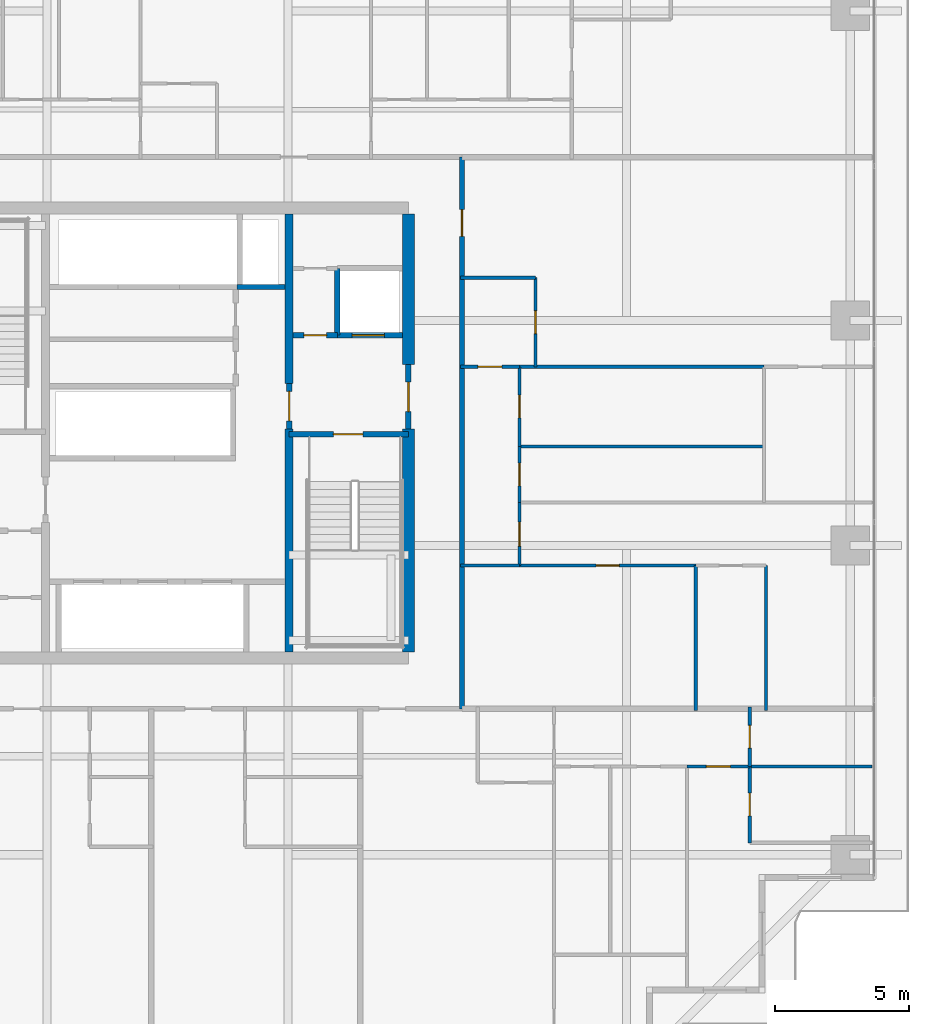
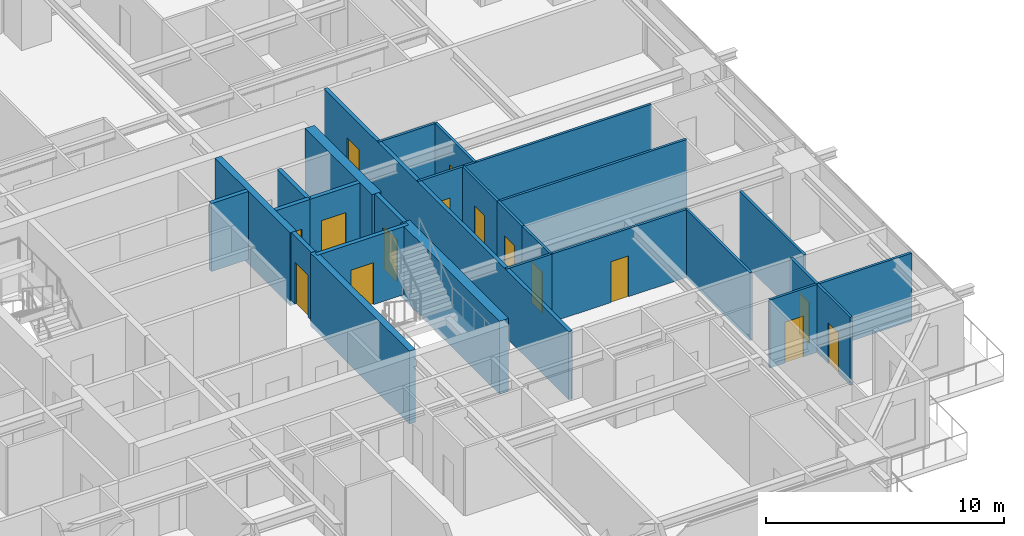
# One storey, part 26 of 35: 28 walls, 15 doors, 15 openings.
"""IFC4 building model written with IfcOpenShell, lengths in metres."""

from ifc_helpers import new_model, si_unit, direction, frame, frame_2d, origin, place, context, subcontext, project, spatial, rectangle, extrude, source, transform, mapped, material, layer, layer_set, type_object, element, fill, save


model = new_model("IFC4")

# Units and contexts
model_context = context("Model", 3, precision=1e-05, world=origin(), true_north=direction((0.0, 1.0)))
body_context = subcontext(model_context, "Body", "Model", "MODEL_VIEW")
ifc_project = project(units=[si_unit("LENGTHUNIT", "METRE"), si_unit("AREAUNIT", "SQUARE_METRE"), si_unit("VOLUMEUNIT", "CUBIC_METRE"), si_unit("PLANEANGLEUNIT", "RADIAN"), si_unit("MASSUNIT", "GRAM", prefix="KILO")], contexts=[model_context])

# Site, building, storey
site_placement = place(None, origin())
site = spatial("IfcSite", under=ifc_project, at=site_placement, CompositionType="ELEMENT")
building_placement = place(site_placement, origin())
building = spatial("IfcBuilding", under=site, at=building_placement, Name="Serunith Strait Residences", CompositionType="ELEMENT")
storey_placement = place(building_placement, frame((0.0, 0.0, 56.699951171875)))
storey = spatial("IfcBuildingStorey", under=building, at=storey_placement, Name="L13", CompositionType="ELEMENT", Elevation=56.699951171875)

# Wall, opening, door
ifc_material_1 = material(Name="Fire-rated acoustic gypsum partition")
ifc_layer_1 = layer(ifc_material_1, 0.179931640625, Name="Fire-rated acoustic gypsum partition")
ifc_layer_set_1 = layer_set([ifc_layer_1], Name="Fire-rated acoustic gypsum partition")
wall_type_1 = type_object("IfcWallType", Name="IW-CORR-180", PredefinedType="PARTITIONING", material=ifc_layer_set_1)
wall_1_placement = place(storey_placement, frame((43.39990234375, 14.89990234375, 0.0), z_axis=(0.0, 0.0, 1.0), x_axis=(0.0, 1.0, 0.0)))
wall_1 = element("IfcWall", 1, at=wall_1_placement, inside=storey, type_object=wall_type_1, Name="L13 Partition Wall 027", PredefinedType="PARTITIONING", context=body_context, shape_type="SweptSolid", body=[
    extrude(rectangle(XDim=20.60009765625, YDim=0.179931640625, at=frame_2d((10.300048828125, 0.0))), origin(), (0.0, 0.0, 1.0), 3.489990234375),
])
opening_1_placement = place(wall_1_placement, frame((17.639892578125, 0.0, 0.0)))
opening_1 = element("IfcOpeningElement", 2, at=opening_1_placement, cuts=wall_1, Name="Opening D-APT1000", PredefinedType="OPENING", context=body_context, shape_type="SweptSolid", body=[
    extrude(rectangle(XDim=1.0, YDim=2.14990234375, at=frame_2d((0.5, 1.074951171875))), frame((0.0, 0.10009765625, 0.0), z_axis=(0.0, -1.0, 0.0), x_axis=(1.0, 0.0, 0.0)), (0.0, 0.0, 1.0), 0.199951171875),
])
ifc_material_2 = material(Name="Solid timber engineered fire door", Category="wood")
door_type_1 = type_object("IfcDoorType", Name="ID-APT-1000", OperationType="NOTDEFINED", PredefinedType="DOOR", material=ifc_material_2)
shared_shape_1 = source(origin(), body_context, "Body", "SweptSolid", [
    extrude(rectangle(XDim=1.0, YDim=2.14990234375, at=frame_2d((0.5, 1.074951171875))), frame((0.0, 0.02490234375, 0.0), z_axis=(0.0, -1.0, 0.0), x_axis=(1.0, 0.0, 0.0)), (0.0, 0.0, 1.0), 0.050048828125),
])
door_1_placement = place(opening_1_placement, origin())
door_1 = element("IfcDoor", 3, at=door_1_placement, inside=storey, type_object=door_type_1, Name="L13 Unit 07 Entrance Door", OperationType="SINGLE_SWING_LEFT", OverallHeight=2.14990234375, OverallWidth=1.0, PredefinedType="DOOR", context=body_context, shape_type="MappedRepresentation", body=[
    mapped(shared_shape_1, transform((0.0, 0.0, 0.0), scale=1.0)),
])
fill(opening_1, door_1)

ifc_material_3 = material(Name="Lightweight steel-stud gypsum partition", Category="steel")
ifc_layer_2 = layer(ifc_material_3, 0.1201171875, Name="Lightweight steel-stud gypsum partition")
ifc_layer_set_2 = layer_set([ifc_layer_2], Name="Lightweight steel-stud gypsum partition")
wall_type_2 = type_object("IfcWallType", Name="IW-PART-120", PredefinedType="PARTITIONING", material=ifc_layer_set_2)
wall_2_placement = place(storey_placement, frame((51.802001953125, 12.75, 0.0), z_axis=(0.0, 0.0, 1.0), x_axis=(1.0, 0.0, 0.0)))
wall_2 = element("IfcWall", 4, at=wall_2_placement, inside=storey, type_object=wall_type_2, Name="L13 Partition Wall 061", PredefinedType="PARTITIONING", context=body_context, shape_type="SweptSolid", body=[
    extrude(rectangle(XDim=2.347900390625, YDim=0.1201171875, at=frame_2d((1.173828125, 0.0))), origin(), (0.0, 0.0, 1.0), 3.489990234375),
])
opening_2_placement = place(wall_2_placement, frame((0.72412109375, 0.0, 0.0)))
opening_2 = element("IfcOpeningElement", 5, at=opening_2_placement, cuts=wall_2, Name="Opening D-RM900", PredefinedType="OPENING", context=body_context, shape_type="SweptSolid", body=[
    extrude(rectangle(XDim=0.89990234375, YDim=2.10009765625, at=frame_2d((0.449951171875, 1.050048828125))), frame((0.0, 0.070068359375, 0.0), z_axis=(0.0, -1.0, 0.0), x_axis=(1.0, 0.0, 0.0)), (0.0, 0.0, 1.0), 0.14013671875),
])
ifc_material_4 = material(Name="Engineered timber flush bedroom door", Category="wood")
door_type_2 = type_object("IfcDoorType", Name="ID-ROOM-900", OperationType="NOTDEFINED", PredefinedType="DOOR", material=ifc_material_4)
shared_shape_2 = source(origin(), body_context, "Body", "SweptSolid", [
    extrude(rectangle(XDim=0.89990234375, YDim=2.10009765625, at=frame_2d((0.449951171875, 1.050048828125))), frame((0.0, 0.02490234375, 0.0), z_axis=(0.0, -1.0, 0.0), x_axis=(1.0, 0.0, 0.0)), (0.0, 0.0, 1.0), 0.050048828125),
])
door_2_placement = place(opening_2_placement, origin())
door_2 = element("IfcDoor", 6, at=door_2_placement, inside=storey, type_object=door_type_2, Name="L13 Master Bedroom E 1304 Door", OperationType="SINGLE_SWING_LEFT", OverallHeight=2.10009765625, OverallWidth=0.89990234375, PredefinedType="DOOR", context=body_context, shape_type="MappedRepresentation", body=[
    mapped(shared_shape_2, transform((0.0, 0.0, 0.0), scale=1.0)),
])
fill(opening_2, door_2)

# Wall
wall_3_placement = place(storey_placement, frame((54.152099609375, 12.75, 0.0), z_axis=(0.0, 0.0, 1.0), x_axis=(1.0, 0.0, 0.0)))
element("IfcWall", 7, at=wall_3_placement, inside=storey, type_object=wall_type_2, Name="L13 Partition Wall 063", PredefinedType="PARTITIONING", context=body_context, shape_type="SweptSolid", body=[
    extrude(rectangle(XDim=4.552978515625, YDim=0.1201171875, at=frame_2d((2.2763671875, 0.0))), origin(), (0.0, 0.0, 1.0), 3.489990234375),
])

# Wall, opening, door
wall_4_placement = place(storey_placement, frame((54.14990234375, 9.89404296875, 0.0), z_axis=(0.0, 0.0, 1.0), x_axis=(0.0, 1.0, 0.0)))
wall_4 = element("IfcWall", 8, at=wall_4_placement, inside=storey, type_object=wall_type_2, Name="L13 Partition Wall 064", PredefinedType="PARTITIONING", context=body_context, shape_type="SweptSolid", body=[
    extrude(rectangle(XDim=2.85595703125, YDim=0.1201171875, at=frame_2d((1.427978515625, 0.0))), origin(), (0.0, 0.0, 1.0), 3.489990234375),
])
opening_3_placement = place(wall_4_placement, frame((1.0029296875, 0.0, 0.0)))
opening_3 = element("IfcOpeningElement", 9, at=opening_3_placement, cuts=wall_4, Name="Opening D-BTH850", PredefinedType="OPENING", context=body_context, shape_type="SweptSolid", body=[
    extrude(rectangle(XDim=0.85009765625, YDim=2.10009765625, at=frame_2d((0.425048828125, 1.050048828125))), frame((0.0, 0.070068359375, 0.0), z_axis=(0.0, -1.0, 0.0), x_axis=(1.0, 0.0, 0.0)), (0.0, 0.0, 1.0), 0.14013671875),
])
ifc_material_5 = material(Name="Moisture-resistant timber bathroom door", Category="wood")
door_type_3 = type_object("IfcDoorType", Name="ID-BATH-850", OperationType="NOTDEFINED", PredefinedType="DOOR", material=ifc_material_5)
shared_shape_3 = source(origin(), body_context, "Body", "SweptSolid", [
    extrude(rectangle(XDim=0.85009765625, YDim=2.10009765625, at=frame_2d((0.425048828125, 1.050048828125))), frame((0.0, 0.02490234375, 0.0), z_axis=(0.0, -1.0, 0.0), x_axis=(1.0, 0.0, 0.0)), (0.0, 0.0, 1.0), 0.050048828125),
])
door_3_placement = place(opening_3_placement, origin())
door_3 = element("IfcDoor", 10, at=door_3_placement, inside=storey, type_object=door_type_3, Name="L13 En-suite Bathroom E 1304 Door", OperationType="SINGLE_SWING_RIGHT", OverallHeight=2.10009765625, OverallWidth=0.85009765625, PredefinedType="DOOR", context=body_context, shape_type="MappedRepresentation", body=[
    mapped(shared_shape_3, transform((0.0, 0.0, 0.0), scale=1.0)),
])
fill(opening_3, door_3)

wall_5_placement = place(storey_placement, frame((54.14990234375, 12.751953125, 0.0), z_axis=(0.0, 0.0, 1.0), x_axis=(0.0, 1.0, 0.0)))
wall_5 = element("IfcWall", 11, at=wall_5_placement, inside=storey, type_object=wall_type_2, Name="L13 Partition Wall 065", PredefinedType="PARTITIONING", context=body_context, shape_type="SweptSolid", body=[
    extrude(rectangle(XDim=2.2080078125, YDim=0.1201171875, at=frame_2d((1.10400390625, 0.0))), origin(), (0.0, 0.0, 1.0), 3.489990234375),
])
opening_4_placement = place(wall_5_placement, frame((0.678955078125, 0.0, 0.0)))
opening_4 = element("IfcOpeningElement", 12, at=opening_4_placement, cuts=wall_5, Name="Opening D-RM850", PredefinedType="OPENING", context=body_context, shape_type="SweptSolid", body=[
    extrude(rectangle(XDim=0.85009765625, YDim=2.10009765625, at=frame_2d((0.425048828125, 1.050048828125))), frame((0.0, 0.070068359375, 0.0), z_axis=(0.0, -1.0, 0.0), x_axis=(1.0, 0.0, 0.0)), (0.0, 0.0, 1.0), 0.14013671875),
])
ifc_material_6 = material(Name="Engineered timber flush study and kitchen door", Category="wood")
door_type_4 = type_object("IfcDoorType", Name="ID-ROOM-850", OperationType="NOTDEFINED", PredefinedType="DOOR", material=ifc_material_6)
door_4_placement = place(opening_4_placement, origin())
door_4 = element("IfcDoor", 13, at=door_4_placement, inside=storey, type_object=door_type_4, Name="L13 Wardrobe E 1304 Door", OperationType="SINGLE_SWING_LEFT", OverallHeight=2.10009765625, OverallWidth=0.85009765625, PredefinedType="DOOR", context=body_context, shape_type="MappedRepresentation", body=[
    mapped(shared_shape_3, transform((0.0, 0.0, 0.0), scale=1.0)),
])
fill(opening_4, door_4)

wall_6_placement = place(storey_placement, frame((46.14990234375, 27.669921875, 0.0), z_axis=(0.0, 0.0, 1.0), x_axis=(0.0, 1.0, 0.0)))
wall_6 = element("IfcWall", 14, at=wall_6_placement, inside=storey, type_object=wall_type_2, Name="L13 Partition Wall 114", PredefinedType="PARTITIONING", context=body_context, shape_type="SweptSolid", body=[
    extrude(rectangle(XDim=3.330078125, YDim=0.1201171875, at=frame_2d((1.6650390625, 0.0))), origin(), (0.0, 0.0, 1.0), 3.489990234375),
])
opening_5_placement = place(wall_6_placement, frame((1.239990234375, 0.0, 0.0)))
opening_5 = element("IfcOpeningElement", 15, at=opening_5_placement, cuts=wall_6, Name="Opening D-RM850", PredefinedType="OPENING", context=body_context, shape_type="SweptSolid", body=[
    extrude(rectangle(XDim=0.85009765625, YDim=2.10009765625, at=frame_2d((0.425048828125, 1.050048828125))), frame((0.0, 0.070068359375, 0.0), z_axis=(0.0, -1.0, 0.0), x_axis=(1.0, 0.0, 0.0)), (0.0, 0.0, 1.0), 0.14013671875),
])
door_5_placement = place(opening_5_placement, origin())
door_5 = element("IfcDoor", 16, at=door_5_placement, inside=storey, type_object=door_type_4, Name="L13 Kitchen 1307 Door", OperationType="SINGLE_SWING_LEFT", OverallHeight=2.10009765625, OverallWidth=0.85009765625, PredefinedType="DOOR", context=body_context, shape_type="MappedRepresentation", body=[
    mapped(shared_shape_3, transform((0.0, 0.0, 0.0), scale=1.0)),
])
fill(opening_5, door_5)

# Wall
wall_7_placement = place(storey_placement, frame((46.14990234375, 31.0, 0.0), z_axis=(0.0, 0.0, 1.0), x_axis=(-1.0, 0.0, 0.0)))
element("IfcWall", 17, at=wall_7_placement, inside=storey, type_object=wall_type_2, Name="L13 Partition Wall 115", PredefinedType="PARTITIONING", context=body_context, shape_type="SweptSolid", body=[
    extrude(rectangle(XDim=2.809814453125, YDim=0.1201171875, at=frame_2d((1.40478515625, 0.0))), origin(), (0.0, 0.0, 1.0), 3.489990234375),
])

# Wall, opening, door
wall_8_placement = place(storey_placement, frame((45.550048828125, 27.669921875, 0.0), z_axis=(0.0, 0.0, 1.0), x_axis=(-1.0, 0.0, 0.0)))
wall_8 = element("IfcWall", 18, at=wall_8_placement, inside=storey, type_object=wall_type_2, Name="L13 Partition Wall 116", PredefinedType="PARTITIONING", context=body_context, shape_type="SweptSolid", body=[
    extrude(rectangle(XDim=2.2099609375, YDim=0.1201171875, at=frame_2d((1.10498046875, 0.0))), origin(), (0.0, 0.0, 1.0), 3.489990234375),
])
opening_6_placement = place(wall_8_placement, frame((0.655029296875, 0.0, 0.0)))
opening_6 = element("IfcOpeningElement", 19, at=opening_6_placement, cuts=wall_8, Name="Opening D-RM900", PredefinedType="OPENING", context=body_context, shape_type="SweptSolid", body=[
    extrude(rectangle(XDim=0.89990234375, YDim=2.10009765625, at=frame_2d((0.449951171875, 1.050048828125))), frame((0.0, 0.070068359375, 0.0), z_axis=(0.0, -1.0, 0.0), x_axis=(1.0, 0.0, 0.0)), (0.0, 0.0, 1.0), 0.14013671875),
])
door_6_placement = place(opening_6_placement, origin())
door_6 = element("IfcDoor", 20, at=door_6_placement, inside=storey, type_object=door_type_2, Name="L13 Hall W 1307 Door", OperationType="SINGLE_SWING_RIGHT", OverallHeight=2.10009765625, OverallWidth=0.89990234375, PredefinedType="DOOR", context=body_context, shape_type="MappedRepresentation", body=[
    mapped(shared_shape_2, transform((0.0, 0.0, 0.0), scale=1.0)),
])
fill(opening_6, door_6)

# Walls
wall_9_placement = place(storey_placement, frame((54.678955078125, 27.669921875, 0.0), z_axis=(0.0, 0.0, 1.0), x_axis=(-1.0, 0.0, 0.0)))
element("IfcWall", 21, at=wall_9_placement, inside=storey, type_object=wall_type_2, Name="L13 Partition Wall 118", PredefinedType="PARTITIONING", context=body_context, shape_type="SweptSolid", body=[
    extrude(rectangle(XDim=9.126953125, YDim=0.1201171875, at=frame_2d((4.5634765625, 0.0))), origin(), (0.0, 0.0, 1.0), 3.489990234375),
])
wall_10_placement = place(storey_placement, frame((54.680908203125, 24.699951171875, 0.0), z_axis=(0.0, 0.0, 1.0), x_axis=(-1.0, 0.0, 0.0)))
element("IfcWall", 22, at=wall_10_placement, inside=storey, type_object=wall_type_2, Name="L13 Partition Wall 121", PredefinedType="PARTITIONING", context=body_context, shape_type="SweptSolid", body=[
    extrude(rectangle(XDim=9.130859375, YDim=0.1201171875, at=frame_2d((4.5654296875, 0.0))), origin(), (0.0, 0.0, 1.0), 3.489990234375),
])

# Wall, opening, door
wall_11_placement = place(storey_placement, frame((45.550048828125, 22.60009765625, 0.0), z_axis=(0.0, 0.0, 1.0), x_axis=(0.0, 1.0, 0.0)))
wall_11 = element("IfcWall", 23, at=wall_11_placement, inside=storey, type_object=wall_type_2, Name="L13 Partition Wall 122", PredefinedType="PARTITIONING", context=body_context, shape_type="SweptSolid", body=[
    extrude(rectangle(XDim=2.099853515625, YDim=0.1201171875, at=frame_2d((1.0498046875, 0.0))), origin(), (0.0, 0.0, 1.0), 3.489990234375),
])
opening_7_placement = place(wall_11_placement, frame((0.625, 0.0, 0.0)))
opening_7 = element("IfcOpeningElement", 24, at=opening_7_placement, cuts=wall_11, Name="Opening D-BTH850", PredefinedType="OPENING", context=body_context, shape_type="SweptSolid", body=[
    extrude(rectangle(XDim=0.85009765625, YDim=2.10009765625, at=frame_2d((0.425048828125, 1.050048828125))), frame((0.0, 0.070068359375, 0.0), z_axis=(0.0, -1.0, 0.0), x_axis=(1.0, 0.0, 0.0)), (0.0, 0.0, 1.0), 0.14013671875),
])
door_7_placement = place(opening_7_placement, origin())
door_7 = element("IfcDoor", 25, at=door_7_placement, inside=storey, type_object=door_type_3, Name="L13 Bathroom 1307 Door", OperationType="SINGLE_SWING_RIGHT", OverallHeight=2.10009765625, OverallWidth=0.85009765625, PredefinedType="DOOR", context=body_context, shape_type="MappedRepresentation", body=[
    mapped(shared_shape_3, transform((0.0, 0.0, 0.0), scale=1.0)),
])
fill(opening_7, door_7)

wall_12_placement = place(storey_placement, frame((45.550048828125, 24.701904296875, 0.0), z_axis=(0.0, 0.0, 1.0), x_axis=(0.0, 1.0, 0.0)))
wall_12 = element("IfcWall", 26, at=wall_12_placement, inside=storey, type_object=wall_type_2, Name="L13 Partition Wall 123", PredefinedType="PARTITIONING", context=body_context, shape_type="SweptSolid", body=[
    extrude(rectangle(XDim=2.968017578125, YDim=0.1201171875, at=frame_2d((1.48388671875, 0.0))), origin(), (0.0, 0.0, 1.0), 3.489990234375),
])
opening_8_placement = place(wall_12_placement, frame((1.05908203125, 0.0, 0.0)))
opening_8 = element("IfcOpeningElement", 27, at=opening_8_placement, cuts=wall_12, Name="Opening D-RM850", PredefinedType="OPENING", context=body_context, shape_type="SweptSolid", body=[
    extrude(rectangle(XDim=0.85009765625, YDim=2.10009765625, at=frame_2d((0.425048828125, 1.050048828125))), frame((0.0, 0.070068359375, 0.0), z_axis=(0.0, -1.0, 0.0), x_axis=(1.0, 0.0, 0.0)), (0.0, 0.0, 1.0), 0.14013671875),
])
door_8_placement = place(opening_8_placement, origin())
door_8 = element("IfcDoor", 28, at=door_8_placement, inside=storey, type_object=door_type_4, Name="L13 Study 1307 Door", OperationType="SINGLE_SWING_LEFT", OverallHeight=2.10009765625, OverallWidth=0.85009765625, PredefinedType="DOOR", context=body_context, shape_type="MappedRepresentation", body=[
    mapped(shared_shape_3, transform((0.0, 0.0, 0.0), scale=1.0)),
])
fill(opening_8, door_8)

wall_13_placement = place(storey_placement, frame((45.550048828125, 20.25, 0.0), z_axis=(0.0, 0.0, 1.0), x_axis=(0.0, 1.0, 0.0)))
wall_13 = element("IfcWall", 29, at=wall_13_placement, inside=storey, type_object=wall_type_2, Name="L13 Partition Wall 124", PredefinedType="PARTITIONING", context=body_context, shape_type="SweptSolid", body=[
    extrude(rectangle(XDim=2.347900390625, YDim=0.1201171875, at=frame_2d((1.173828125, 0.0))), origin(), (0.0, 0.0, 1.0), 3.489990234375),
])
opening_9_placement = place(wall_13_placement, frame((0.72412109375, 0.0, 0.0)))
opening_9 = element("IfcOpeningElement", 30, at=opening_9_placement, cuts=wall_13, Name="Opening D-RM900", PredefinedType="OPENING", context=body_context, shape_type="SweptSolid", body=[
    extrude(rectangle(XDim=0.89990234375, YDim=2.10009765625, at=frame_2d((0.449951171875, 1.050048828125))), frame((0.0, 0.070068359375, 0.0), z_axis=(0.0, -1.0, 0.0), x_axis=(1.0, 0.0, 0.0)), (0.0, 0.0, 1.0), 0.14013671875),
])
door_9_placement = place(opening_9_placement, origin())
door_9 = element("IfcDoor", 31, at=door_9_placement, inside=storey, type_object=door_type_2, Name="L13 Master Bedroom W 1307 Door", OperationType="SINGLE_SWING_RIGHT", OverallHeight=2.10009765625, OverallWidth=0.89990234375, PredefinedType="DOOR", context=body_context, shape_type="MappedRepresentation", body=[
    mapped(shared_shape_2, transform((0.0, 0.0, 0.0), scale=1.0)),
])
fill(opening_9, door_9)

# Walls
for number, where, z_axis, x_axis, name in (
    (32, (54.75, 14.840087890625, 0.0), (0.0, 0.0, 1.0), (0.0, 1.0, 0.0), "L13 Partition Wall 125"),
    (33, (52.133056640625, 14.840087890625, 0.0), (0.0, 0.0, 1.0), (0.0, 1.0, 0.0), "L13 Partition Wall 126"),
):
    element("IfcWall", number, at=place(storey_placement, frame(where, z_axis=z_axis, x_axis=x_axis)), inside=storey, type_object=wall_type_2, Name=name, PredefinedType="PARTITIONING", context=body_context, shape_type="SweptSolid", body=[
        extrude(rectangle(XDim=5.409912109375, YDim=0.1201171875, at=frame_2d((2.705078125, 0.0))), origin(), (0.0, 0.0, 1.0), 3.489990234375),
    ])

# Wall, opening, door
wall_14_placement = place(storey_placement, frame((52.131103515625, 20.25, 0.0), z_axis=(0.0, 0.0, 1.0), x_axis=(-1.0, 0.0, 0.0)))
wall_14 = element("IfcWall", 34, at=wall_14_placement, inside=storey, type_object=wall_type_2, Name="L13 Partition Wall 128", PredefinedType="PARTITIONING", context=body_context, shape_type="SweptSolid", body=[
    extrude(rectangle(XDim=6.5810546875, YDim=0.1201171875, at=frame_2d((3.29052734375, 0.0))), origin(), (0.0, 0.0, 1.0), 3.489990234375),
])
opening_10_placement = place(wall_14_placement, frame((2.865966796875, 0.0, 0.0)))
opening_10 = element("IfcOpeningElement", 35, at=opening_10_placement, cuts=wall_14, Name="Opening D-RM850", PredefinedType="OPENING", context=body_context, shape_type="SweptSolid", body=[
    extrude(rectangle(XDim=0.85009765625, YDim=2.10009765625, at=frame_2d((0.425048828125, 1.050048828125))), frame((0.0, 0.070068359375, 0.0), z_axis=(0.0, -1.0, 0.0), x_axis=(1.0, 0.0, 0.0)), (0.0, 0.0, 1.0), 0.14013671875),
])
door_10_placement = place(opening_10_placement, origin())
door_10 = element("IfcDoor", 36, at=door_10_placement, inside=storey, type_object=door_type_4, Name="L13 Wardrobe W 1307 Door", OperationType="SINGLE_SWING_RIGHT", OverallHeight=2.10009765625, OverallWidth=0.85009765625, PredefinedType="DOOR", context=body_context, shape_type="MappedRepresentation", body=[
    mapped(shared_shape_3, transform((0.0, 0.0, 0.0), scale=1.0)),
])
fill(opening_10, door_10)

# Wall
wall_15_placement = place(storey_placement, frame((45.548095703125, 20.25, 0.0), z_axis=(0.0, 0.0, 1.0), x_axis=(-1.0, 0.0, 0.0)))
element("IfcWall", 37, at=wall_15_placement, inside=storey, type_object=wall_type_2, Name="L13 Partition Wall 129", PredefinedType="PARTITIONING", context=body_context, shape_type="SweptSolid", body=[
    extrude(rectangle(XDim=2.2080078125, YDim=0.1201171875, at=frame_2d((1.10400390625, 0.0))), origin(), (0.0, 0.0, 1.0), 3.489990234375),
])

# Wall, opening, door
ifc_material_7 = material(Name="Autoclaved aerated concrete blockwork", Category="masonry")
ifc_layer_3 = layer(ifc_material_7, 0.199951171875, Name="Autoclaved aerated concrete blockwork")
ifc_layer_set_3 = layer_set([ifc_layer_3], Name="Autoclaved aerated concrete blockwork")
wall_type_3 = type_object("IfcWallType", Name="IW-SHAFT-200", PredefinedType="STANDARD", material=ifc_layer_set_3)
wall_16_placement = place(storey_placement, frame((36.949951171875, 25.14990234375, 0.0), z_axis=(0.0, 0.0, 1.0), x_axis=(1.0, 0.0, 0.0)))
wall_16 = element("IfcWall", 38, at=wall_16_placement, inside=storey, type_object=wall_type_3, Name="L13 ST-2 North Shaft Wall", PredefinedType="STANDARD", context=body_context, shape_type="SweptSolid", body=[
    extrude(rectangle(XDim=4.449951171875, YDim=0.199951171875, at=frame_2d((2.22509765625, 0.0))), origin(), (0.0, 0.0, 1.0), 3.489990234375),
])
opening_11_placement = place(wall_16_placement, frame((1.64990234375, 0.0, 0.0)))
opening_11 = element("IfcOpeningElement", 39, at=opening_11_placement, cuts=wall_16, Name="Opening FD-1100", PredefinedType="OPENING", context=body_context, shape_type="SweptSolid", body=[
    extrude(rectangle(XDim=1.10009765625, YDim=2.14990234375, at=frame_2d((0.550048828125, 1.074951171875))), frame((0.0, 0.10986328125, 0.0), z_axis=(0.0, -1.0, 0.0), x_axis=(1.0, 0.0, 0.0)), (0.0, 0.0, 1.0), 0.219970703125),
])
ifc_material_8 = material(Name="Galvanised steel fire door leaf", Category="steel")
door_type_5 = type_object("IfcDoorType", Name="FD-STAIR-1100", OperationType="NOTDEFINED", PredefinedType="DOOR", material=ifc_material_8)
shared_shape_4 = source(origin(), body_context, "Body", "SweptSolid", [
    extrude(rectangle(XDim=1.10009765625, YDim=2.14990234375, at=frame_2d((0.550048828125, 1.074951171875))), frame((0.0, 0.02490234375, 0.0), z_axis=(0.0, -1.0, 0.0), x_axis=(1.0, 0.0, 0.0)), (0.0, 0.0, 1.0), 0.050048828125),
])
door_11_placement = place(opening_11_placement, origin())
door_11 = element("IfcDoor", 40, at=door_11_placement, inside=storey, type_object=door_type_5, Name="L13 ST-2 Escape Stair Door", OperationType="SINGLE_SWING_RIGHT", OverallHeight=2.14990234375, OverallWidth=1.10009765625, PredefinedType="DOOR", context=body_context, shape_type="MappedRepresentation", body=[
    mapped(shared_shape_4, transform((0.0, 0.0, 0.0), scale=1.0)),
])
fill(opening_11, door_11)

wall_17_placement = place(storey_placement, frame((38.75, 28.85009765625, 0.0), z_axis=(0.0, 0.0, 1.0), x_axis=(1.0, 0.0, 0.0)))
wall_17 = element("IfcWall", 41, at=wall_17_placement, inside=storey, type_object=wall_type_3, Name="L13 FL-2 South Shaft Wall", PredefinedType="STANDARD", context=body_context, shape_type="SweptSolid", body=[
    extrude(rectangle(XDim=2.425048828125, YDim=0.199951171875, at=frame_2d((1.21240234375, 0.0))), origin(), (0.0, 0.0, 1.0), 3.489990234375),
])
opening_12_placement = place(wall_17_placement, frame((0.550048828125, 0.0, 0.0)))
opening_12 = element("IfcOpeningElement", 42, at=opening_12_placement, cuts=wall_17, Name="Opening LD-FF1200", PredefinedType="OPENING", context=body_context, shape_type="SweptSolid", body=[
    extrude(rectangle(XDim=1.199951171875, YDim=2.199951171875, at=frame_2d((0.60009765625, 1.10009765625))), frame((0.0, 0.10986328125, 0.0), z_axis=(0.0, -1.0, 0.0), x_axis=(1.0, 0.0, 0.0)), (0.0, 0.0, 1.0), 0.219970703125),
])
ifc_material_9 = material(Name="Brushed stainless steel landing door", Category="steel")
door_type_6 = type_object("IfcDoorType", Name="LD-FF-1200", OperationType="DOUBLE_DOOR_SLIDING", PredefinedType="DOOR", material=ifc_material_9)
shared_shape_5 = source(origin(), body_context, "Body", "SweptSolid", [
    extrude(rectangle(XDim=1.199951171875, YDim=2.199951171875, at=frame_2d((0.60009765625, 1.10009765625))), frame((0.0, 0.02490234375, 0.0), z_axis=(0.0, -1.0, 0.0), x_axis=(1.0, 0.0, 0.0)), (0.0, 0.0, 1.0), 0.050048828125),
])
door_12_placement = place(opening_12_placement, origin())
door_12 = element("IfcDoor", 43, at=door_12_placement, inside=storey, type_object=door_type_6, Name="L13 FL-2 Landing Door", OperationType="DOUBLE_DOOR_SLIDING", OverallHeight=2.199951171875, OverallWidth=1.199951171875, PredefinedType="DOOR", context=body_context, shape_type="MappedRepresentation", body=[
    mapped(shared_shape_5, transform((0.0, 0.0, 0.0), scale=1.0)),
])
fill(opening_12, door_12)

# Walls
wall_18_placement = place(storey_placement, frame((35.0, 30.64990234375, 0.0), z_axis=(0.0, 0.0, 1.0), x_axis=(1.0, 0.0, 0.0)))
element("IfcWall", 44, at=wall_18_placement, inside=storey, type_object=wall_type_3, Name="L13 SL-1 South Shaft Wall", PredefinedType="STANDARD", context=body_context, shape_type="SweptSolid", body=[
    extrude(rectangle(XDim=1.800048828125, YDim=0.199951171875, at=frame_2d((0.89990234375, 0.0))), origin(), (0.0, 0.0, 1.0), 3.489990234375),
])
wall_19_placement = place(storey_placement, frame((38.75, 28.85009765625, 0.0), z_axis=(0.0, 0.0, 1.0), x_axis=(0.0, 1.0, 0.0)))
element("IfcWall", 45, at=wall_19_placement, inside=storey, type_object=wall_type_3, Name="L13 Partition Wall 004", PredefinedType="STANDARD", context=body_context, shape_type="SweptSolid", body=[
    extrude(rectangle(XDim=2.5, YDim=0.199951171875, at=frame_2d((1.25, 0.0))), origin(), (0.0, 0.0, 1.0), 3.489990234375),
])

# Wall, opening, door
wall_20_placement = place(storey_placement, frame((37.10009765625, 28.85009765625, 0.0), z_axis=(0.0, 0.0, 1.0), x_axis=(1.0, 0.0, 0.0)))
wall_20 = element("IfcWall", 46, at=wall_20_placement, inside=storey, type_object=wall_type_3, Name="L13 Partition Wall 006", PredefinedType="STANDARD", context=body_context, shape_type="SweptSolid", body=[
    extrude(rectangle(XDim=1.64794921875, YDim=0.199951171875, at=frame_2d((0.823974609375, 0.0))), origin(), (0.0, 0.0, 1.0), 3.489990234375),
])
opening_13_placement = place(wall_20_placement, frame((0.39892578125, 0.0, 0.0)))
opening_13 = element("IfcOpeningElement", 47, at=opening_13_placement, cuts=wall_20, Name="Opening FD-850", PredefinedType="OPENING", context=body_context, shape_type="SweptSolid", body=[
    extrude(rectangle(XDim=0.85009765625, YDim=2.10009765625, at=frame_2d((0.425048828125, 1.050048828125))), frame((0.0, 0.10986328125, 0.0), z_axis=(0.0, -1.0, 0.0), x_axis=(1.0, 0.0, 0.0)), (0.0, 0.0, 1.0), 0.219970703125),
])
ifc_material_10 = material(Name="Powder-coated steel service closet door", Category="steel")
door_type_7 = type_object("IfcDoorType", Name="FD-BOH-850", OperationType="NOTDEFINED", PredefinedType="DOOR", material=ifc_material_10)
door_13_placement = place(opening_13_placement, origin())
door_13 = element("IfcDoor", 48, at=door_13_placement, inside=storey, type_object=door_type_7, Name="L13 North-East Core Service Door", OperationType="SINGLE_SWING_RIGHT", OverallHeight=2.10009765625, OverallWidth=0.85009765625, PredefinedType="DOOR", context=body_context, shape_type="MappedRepresentation", body=[
    mapped(shared_shape_3, transform((0.0, 0.0, 0.0), scale=1.0)),
])
fill(opening_13, door_13)

wall_21_placement = place(storey_placement, frame((41.39990234375, 25.35205078125, 0.0), z_axis=(0.0, 0.0, 1.0), x_axis=(0.0, 1.0, 0.0)))
wall_21 = element("IfcWall", 49, at=wall_21_placement, inside=storey, type_object=wall_type_3, Name="L13 Partition Wall 008", PredefinedType="STANDARD", context=body_context, shape_type="SweptSolid", body=[
    extrude(rectangle(XDim=2.39599609375, YDim=0.199951171875, at=frame_2d((1.197998046875, 0.0))), origin(), (0.0, 0.0, 1.0), 3.489990234375),
])
opening_14_placement = place(wall_21_placement, frame((0.64794921875, 0.0, 0.0)))
opening_14 = element("IfcOpeningElement", 50, at=opening_14_placement, cuts=wall_21, Name="Opening FD-FFL", PredefinedType="OPENING", context=body_context, shape_type="SweptSolid", body=[
    extrude(rectangle(XDim=1.10009765625, YDim=2.14990234375, at=frame_2d((0.550048828125, 1.074951171875))), frame((0.0, 0.10986328125, 0.0), z_axis=(0.0, -1.0, 0.0), x_axis=(1.0, 0.0, 0.0)), (0.0, 0.0, 1.0), 0.219970703125),
])
ifc_material_11 = material(Name="Glazed steel smoke-lobby fire door", Category="steel")
door_type_8 = type_object("IfcDoorType", Name="FD-FFL-1100", OperationType="NOTDEFINED", PredefinedType="DOOR", material=ifc_material_11)
door_14_placement = place(opening_14_placement, origin())
door_14 = element("IfcDoor", 51, at=door_14_placement, inside=storey, type_object=door_type_8, Name="L13 FFL-2 Corridor Fire Door", OperationType="SINGLE_SWING_RIGHT", OverallHeight=2.14990234375, OverallWidth=1.10009765625, PredefinedType="DOOR", context=body_context, shape_type="MappedRepresentation", body=[
    mapped(shared_shape_4, transform((0.0, 0.0, 0.0), scale=1.0)),
])
fill(opening_14, door_14)

wall_22_placement = place(storey_placement, frame((36.949951171875, 25.35205078125, 0.0), z_axis=(0.0, 0.0, 1.0), x_axis=(0.0, 1.0, 0.0)))
wall_22 = element("IfcWall", 52, at=wall_22_placement, inside=storey, type_object=wall_type_3, Name="L13 Partition Wall 010", PredefinedType="STANDARD", context=body_context, shape_type="SweptSolid", body=[
    extrude(rectangle(XDim=1.696044921875, YDim=0.199951171875, at=frame_2d((0.84814453125, 0.0))), origin(), (0.0, 0.0, 1.0), 3.489990234375),
])
opening_15_placement = place(wall_22_placement, frame((0.298095703125, 0.0, 0.0)))
opening_15 = element("IfcOpeningElement", 53, at=opening_15_placement, cuts=wall_22, Name="Opening FD-FFL", PredefinedType="OPENING", context=body_context, shape_type="SweptSolid", body=[
    extrude(rectangle(XDim=1.10009765625, YDim=2.14990234375, at=frame_2d((0.550048828125, 1.074951171875))), frame((0.0, 0.10986328125, 0.0), z_axis=(0.0, -1.0, 0.0), x_axis=(1.0, 0.0, 0.0)), (0.0, 0.0, 1.0), 0.219970703125),
])
door_15_placement = place(opening_15_placement, origin())
door_15 = element("IfcDoor", 54, at=door_15_placement, inside=storey, type_object=door_type_8, Name="L13 FFL-2 Lift Lobby Door", OperationType="SINGLE_SWING_RIGHT", OverallHeight=2.14990234375, OverallWidth=1.10009765625, PredefinedType="DOOR", context=body_context, shape_type="MappedRepresentation", body=[
    mapped(shared_shape_4, transform((0.0, 0.0, 0.0), scale=1.0)),
])
fill(opening_15, door_15)

# Walls
ifc_material_12 = material(Name="Concrete C80/95", Category="concrete")
ifc_layer_4 = layer(ifc_material_12, 0.300048828125, Name="Concrete C80/95")
ifc_layer_set_4 = layer_set([ifc_layer_4], Name="Concrete C80/95")
wall_type_4 = type_object("IfcWallType", Name="SW-300-C80", PredefinedType="SHEAR", material=ifc_layer_set_4)
wall_23_placement = place(storey_placement, frame((36.949951171875, 17.02490234375, -0.260009765625), z_axis=(0.0, 0.0, 1.0), x_axis=(0.0, 1.0, 0.0)))
element("IfcWall", 55, at=wall_23_placement, inside=storey, type_object=wall_type_4, Name="L13 Core Internal East Web South Pier", PredefinedType="SHEAR", context=body_context, shape_type="SweptSolid", body=[
    extrude(rectangle(XDim=8.3251953125, YDim=0.300048828125, at=frame_2d((4.16259765625, 0.0))), origin(), (0.0, 0.0, 1.0), 3.748046875),
])
wall_24_placement = place(storey_placement, frame((36.949951171875, 27.050048828125, -0.260009765625), z_axis=(0.0, 0.0, 1.0), x_axis=(0.0, 1.0, 0.0)))
element("IfcWall", 56, at=wall_24_placement, inside=storey, type_object=wall_type_4, Name="L13 Core Internal East Web North Pier", PredefinedType="SHEAR", context=body_context, shape_type="SweptSolid", body=[
    extrude(rectangle(XDim=6.324951171875, YDim=0.300048828125, at=frame_2d((3.16259765625, 0.0))), origin(), (0.0, 0.0, 1.0), 3.748046875),
])
ifc_layer_5 = layer(ifc_material_12, 0.449951171875, Name="Concrete C80/95")
ifc_layer_set_5 = layer_set([ifc_layer_5], Name="Concrete C80/95")
wall_type_5 = type_object("IfcWallType", Name="SW-450-C80", PredefinedType="SHEAR", material=ifc_layer_set_5)
wall_25_placement = place(storey_placement, frame((41.39990234375, 17.02490234375, -0.260009765625), z_axis=(0.0, 0.0, 1.0), x_axis=(0.0, 1.0, 0.0)))
element("IfcWall", 57, at=wall_25_placement, inside=storey, type_object=wall_type_5, Name="L13 Core East Shear Wall South Pier", PredefinedType="SHEAR", context=body_context, shape_type="SweptSolid", body=[
    extrude(rectangle(XDim=8.3251953125, YDim=0.449951171875, at=frame_2d((4.16259765625, 0.0))), origin(), (0.0, 0.0, 1.0), 3.748046875),
])
wall_26_placement = place(storey_placement, frame((41.39990234375, 27.75, -0.260009765625), z_axis=(0.0, 0.0, 1.0), x_axis=(0.0, 1.0, 0.0)))
element("IfcWall", 58, at=wall_26_placement, inside=storey, type_object=wall_type_5, Name="L13 Core East Shear Wall North Pier", PredefinedType="SHEAR", context=body_context, shape_type="SweptSolid", body=[
    extrude(rectangle(XDim=5.625, YDim=0.449951171875, at=frame_2d((2.8125, 0.0))), origin(), (0.0, 0.0, 1.0), 3.748046875),
])

save(model, "model.ifc")
